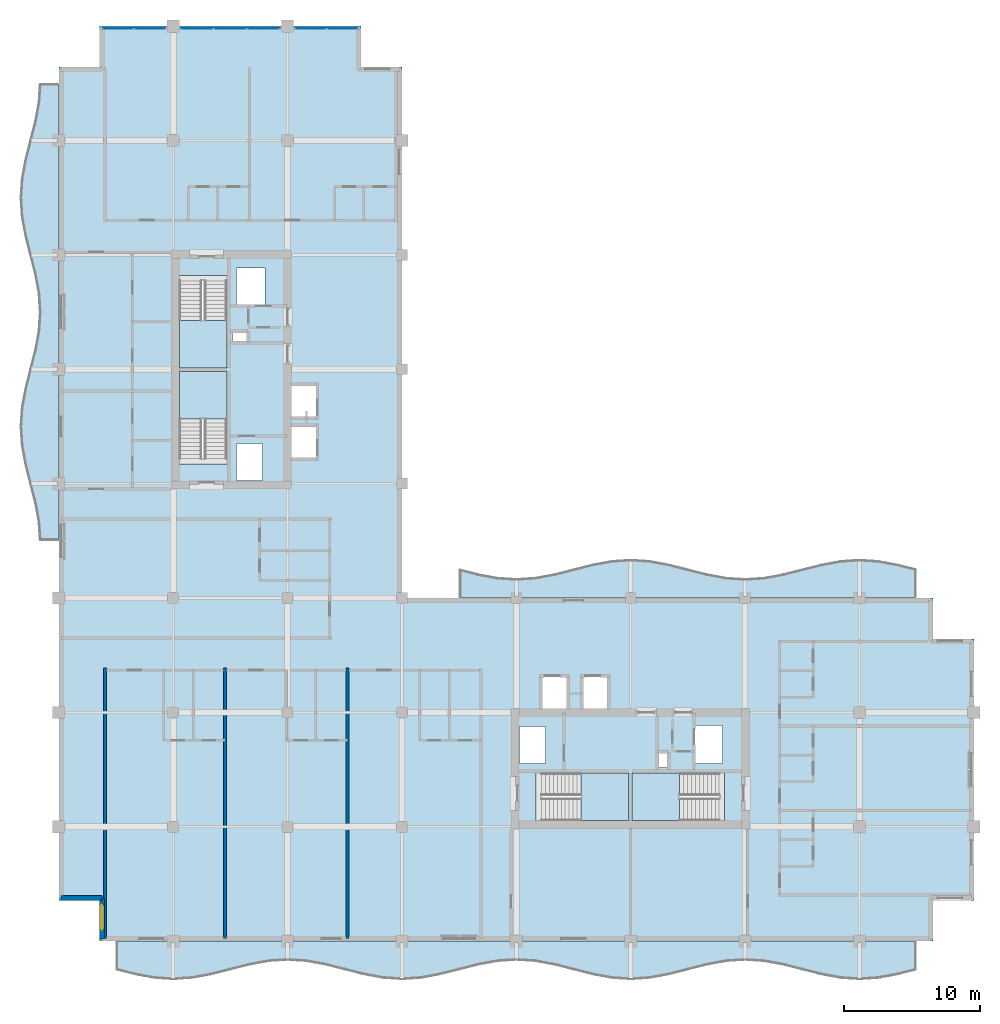
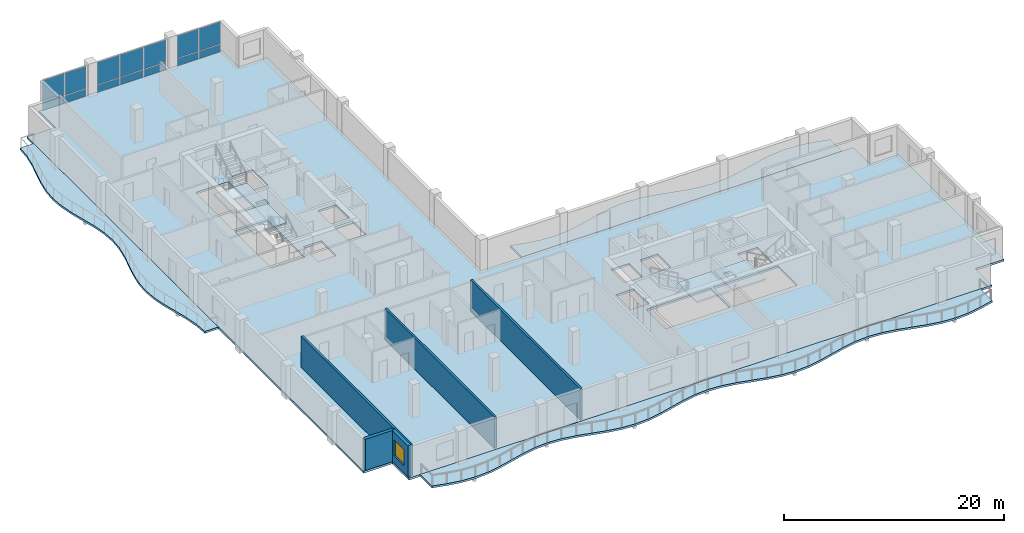
# One storey, part 5 of 17: 14 plates, 8 slabs, 5 walls, 1 window, 1 opening, 7 elements without a shape of their own.
"""IFC4 building model written with IfcOpenShell, lengths in metres."""

from ifc_helpers import new_model, si_unit, direction, frame, frame_2d, origin, origin_2d, place, context, subcontext, project, spatial, polyline, rectangle, outline, extrude, material, layer, layer_set, type_object, element, fill, aggregate, save


model = new_model("IFC4")

# Units and contexts
model_context = context("Model", 3, precision=1e-05, world=origin(), true_north=direction((0.0, 1.0)))
body_context = subcontext(model_context, "Body", "Model", "MODEL_VIEW")
ifc_project = project(units=[si_unit("LENGTHUNIT", "METRE"), si_unit("AREAUNIT", "SQUARE_METRE"), si_unit("VOLUMEUNIT", "CUBIC_METRE"), si_unit("PLANEANGLEUNIT", "RADIAN"), si_unit("MASSUNIT", "GRAM", prefix="KILO")], contexts=[model_context])

# Site, building, storey
site_placement = place(None, origin())
site = spatial("IfcSite", under=ifc_project, at=site_placement, CompositionType="ELEMENT")
building_placement = place(site_placement, origin())
building = spatial("IfcBuilding", under=site, at=building_placement, Name="Koriwani Terraces Tower", CompositionType="ELEMENT")
storey_placement = place(building_placement, frame((0.0, 0.0, 237.89990234375)))
storey = spatial("IfcBuildingStorey", under=building, at=storey_placement, Name="L58", CompositionType="ELEMENT", Elevation=237.89990234375)

# Curtain wall, plates
ifc_material_1 = material(Name="Anodised Bronze Aluminium", Category="aluminium")
ifc_layer_1 = layer(ifc_material_1, 0.169921875, Name="Anodised Bronze Aluminium")
ifc_layer_set_1 = layer_set([ifc_layer_1], Name="Anodised Bronze Aluminium")
curtain_wall_type = type_object("IfcCurtainWallType", Name="CW_RES_ZONE4", PredefinedType="NOTDEFINED", material=ifc_layer_set_1)
curtain_wall_1_placement = place(storey_placement, origin())
curtain_wall_1 = element("IfcCurtainWall", 1, at=curtain_wall_1_placement, inside=storey, type_object=curtain_wall_type, Name="L58 Unitised Curtain Wall (N_TIP) Bay 1", PredefinedType="NOTDEFINED")
ifc_material_2 = material(Name="Tempered Laminated Low-E Glass", Category="glass")
ifc_layer_2 = layer(ifc_material_2, 0.028076171875, Name="Tempered Laminated Low-E Glass")
ifc_layer_set_2 = layer_set([ifc_layer_2], Name="Tempered Laminated Low-E Glass")
plate_type = type_object("IfcPlateType", Name="CW_PANEL_VISION_28", PredefinedType="CURTAIN_PANEL", material=ifc_layer_set_2)
plate_1_placement = place(storey_placement, frame((12.7724609375, 75.425048828125, 0.06494140625), z_axis=(0.0, 0.0, 1.0), x_axis=(1.0, 0.0, 0.0)))
plate_1 = element("IfcPlate", 2, at=plate_1_placement, type_object=plate_type, Name="CW-Z4 panel 1.1", PredefinedType="CURTAIN_PANEL", context=body_context, shape_type="SweptSolid", body=[
    extrude(rectangle(XDim=2.2451171875, YDim=0.028076171875, at=origin_2d()), origin(), (0.0, 0.0, 1.0), 0.802490234375),
])
plate_2_placement = place(storey_placement, frame((12.7724609375, 75.425048828125, 0.9326171875), z_axis=(0.0, 0.0, 1.0), x_axis=(1.0, 0.0, 0.0)))
plate_2 = element("IfcPlate", 3, at=plate_2_placement, type_object=plate_type, Name="CW-Z4 panel 1.2", PredefinedType="CURTAIN_PANEL", context=body_context, shape_type="SweptSolid", body=[
    extrude(rectangle(XDim=2.2451171875, YDim=0.028076171875, at=origin_2d()), origin(), (0.0, 0.0, 1.0), 2.472412109375),
])
plate_3_placement = place(storey_placement, frame((15.092529296875, 75.425048828125, 0.06494140625), z_axis=(0.0, 0.0, 1.0), x_axis=(1.0, 0.0, 0.0)))
plate_3 = element("IfcPlate", 4, at=plate_3_placement, type_object=plate_type, Name="CW-Z4 panel 2.1", PredefinedType="CURTAIN_PANEL", context=body_context, shape_type="SweptSolid", body=[
    extrude(rectangle(XDim=2.2451171875, YDim=0.028076171875, at=origin_2d()), origin(), (0.0, 0.0, 1.0), 0.802490234375),
])
plate_4_placement = place(storey_placement, frame((15.092529296875, 75.425048828125, 0.9326171875), z_axis=(0.0, 0.0, 1.0), x_axis=(1.0, 0.0, 0.0)))
plate_4 = element("IfcPlate", 5, at=plate_4_placement, type_object=plate_type, Name="CW-Z4 panel 2.2", PredefinedType="CURTAIN_PANEL", context=body_context, shape_type="SweptSolid", body=[
    extrude(rectangle(XDim=2.2451171875, YDim=0.028076171875, at=origin_2d()), origin(), (0.0, 0.0, 1.0), 2.472412109375),
])
aggregate(curtain_wall_1, [plate_1, plate_2, plate_3, plate_4])

curtain_wall_2_placement = place(storey_placement, origin())
curtain_wall_2 = element("IfcCurtainWall", 6, at=curtain_wall_2_placement, inside=storey, type_object=curtain_wall_type, Name="L58 Unitised Curtain Wall (N_TIP) Bay 2", PredefinedType="NOTDEFINED")
plate_5_placement = place(storey_placement, frame((18.558837890625, 75.425048828125, 0.06494140625), z_axis=(0.0, 0.0, 1.0), x_axis=(1.0, 0.0, 0.0)))
plate_5 = element("IfcPlate", 7, at=plate_5_placement, type_object=plate_type, Name="CW-Z4 panel 1.1", PredefinedType="CURTAIN_PANEL", context=body_context, shape_type="SweptSolid", body=[
    extrude(rectangle(XDim=2.347412109375, YDim=0.028076171875, at=origin_2d()), origin(), (0.0, 0.0, 1.0), 0.802490234375),
])
plate_6_placement = place(storey_placement, frame((18.558837890625, 75.425048828125, 0.9326171875), z_axis=(0.0, 0.0, 1.0), x_axis=(1.0, 0.0, 0.0)))
plate_6 = element("IfcPlate", 8, at=plate_6_placement, type_object=plate_type, Name="CW-Z4 panel 1.2", PredefinedType="CURTAIN_PANEL", context=body_context, shape_type="SweptSolid", body=[
    extrude(rectangle(XDim=2.347412109375, YDim=0.028076171875, at=origin_2d()), origin(), (0.0, 0.0, 1.0), 2.472412109375),
])
plate_7_placement = place(storey_placement, frame((21.0, 75.425048828125, 0.06494140625), z_axis=(0.0, 0.0, 1.0), x_axis=(1.0, 0.0, 0.0)))
plate_7 = element("IfcPlate", 9, at=plate_7_placement, type_object=plate_type, Name="CW-Z4 panel 2.1", PredefinedType="CURTAIN_PANEL", context=body_context, shape_type="SweptSolid", body=[
    extrude(rectangle(XDim=2.385009765625, YDim=0.028076171875, at=origin_2d()), origin(), (0.0, 0.0, 1.0), 0.802490234375),
])
plate_8_placement = place(storey_placement, frame((21.0, 75.425048828125, 0.9326171875), z_axis=(0.0, 0.0, 1.0), x_axis=(1.0, 0.0, 0.0)))
plate_8 = element("IfcPlate", 10, at=plate_8_placement, type_object=plate_type, Name="CW-Z4 panel 2.2", PredefinedType="CURTAIN_PANEL", context=body_context, shape_type="SweptSolid", body=[
    extrude(rectangle(XDim=2.385009765625, YDim=0.028076171875, at=origin_2d()), origin(), (0.0, 0.0, 1.0), 2.472412109375),
])
plate_9_placement = place(storey_placement, frame((23.441162109375, 75.425048828125, 0.06494140625), z_axis=(0.0, 0.0, 1.0), x_axis=(1.0, 0.0, 0.0)))
plate_9 = element("IfcPlate", 11, at=plate_9_placement, type_object=plate_type, Name="CW-Z4 panel 3.1", PredefinedType="CURTAIN_PANEL", context=body_context, shape_type="SweptSolid", body=[
    extrude(rectangle(XDim=2.347412109375, YDim=0.028076171875, at=origin_2d()), origin(), (0.0, 0.0, 1.0), 0.802490234375),
])
plate_10_placement = place(storey_placement, frame((23.441162109375, 75.425048828125, 0.9326171875), z_axis=(0.0, 0.0, 1.0), x_axis=(1.0, 0.0, 0.0)))
plate_10 = element("IfcPlate", 12, at=plate_10_placement, type_object=plate_type, Name="CW-Z4 panel 3.2", PredefinedType="CURTAIN_PANEL", context=body_context, shape_type="SweptSolid", body=[
    extrude(rectangle(XDim=2.347412109375, YDim=0.028076171875, at=origin_2d()), origin(), (0.0, 0.0, 1.0), 2.472412109375),
])
aggregate(curtain_wall_2, [plate_5, plate_6, plate_7, plate_8, plate_9, plate_10])

curtain_wall_3_placement = place(storey_placement, origin())
curtain_wall_3 = element("IfcCurtainWall", 13, at=curtain_wall_3_placement, inside=storey, type_object=curtain_wall_type, Name="L58 Unitised Curtain Wall (N_TIP) Bay 3", PredefinedType="NOTDEFINED")
plate_11_placement = place(storey_placement, frame((26.907470703125, 75.425048828125, 0.06494140625), z_axis=(0.0, 0.0, 1.0), x_axis=(1.0, 0.0, 0.0)))
plate_11 = element("IfcPlate", 14, at=plate_11_placement, type_object=plate_type, Name="CW-Z4 panel 1.1", PredefinedType="CURTAIN_PANEL", context=body_context, shape_type="SweptSolid", body=[
    extrude(rectangle(XDim=2.2451171875, YDim=0.028076171875, at=origin_2d()), origin(), (0.0, 0.0, 1.0), 0.802490234375),
])
plate_12_placement = place(storey_placement, frame((26.907470703125, 75.425048828125, 0.9326171875), z_axis=(0.0, 0.0, 1.0), x_axis=(1.0, 0.0, 0.0)))
plate_12 = element("IfcPlate", 15, at=plate_12_placement, type_object=plate_type, Name="CW-Z4 panel 1.2", PredefinedType="CURTAIN_PANEL", context=body_context, shape_type="SweptSolid", body=[
    extrude(rectangle(XDim=2.2451171875, YDim=0.028076171875, at=origin_2d()), origin(), (0.0, 0.0, 1.0), 2.472412109375),
])
plate_13_placement = place(storey_placement, frame((29.2275390625, 75.425048828125, 0.06494140625), z_axis=(0.0, 0.0, 1.0), x_axis=(1.0, 0.0, 0.0)))
plate_13 = element("IfcPlate", 16, at=plate_13_placement, type_object=plate_type, Name="CW-Z4 panel 2.1", PredefinedType="CURTAIN_PANEL", context=body_context, shape_type="SweptSolid", body=[
    extrude(rectangle(XDim=2.2451171875, YDim=0.028076171875, at=origin_2d()), origin(), (0.0, 0.0, 1.0), 0.802490234375),
])
plate_14_placement = place(storey_placement, frame((29.2275390625, 75.425048828125, 0.9326171875), z_axis=(0.0, 0.0, 1.0), x_axis=(1.0, 0.0, 0.0)))
plate_14 = element("IfcPlate", 17, at=plate_14_placement, type_object=plate_type, Name="CW-Z4 panel 2.2", PredefinedType="CURTAIN_PANEL", context=body_context, shape_type="SweptSolid", body=[
    extrude(rectangle(XDim=2.2451171875, YDim=0.028076171875, at=origin_2d()), origin(), (0.0, 0.0, 1.0), 2.472412109375),
])
aggregate(curtain_wall_3, [plate_11, plate_12, plate_13, plate_14])

# Slabs
ifc_material_3 = material(Name="Concrete C40/50", Category="concrete")
ifc_layer_3 = layer(ifc_material_3, 0.219970703125, Name="Concrete C40/50")
ifc_layer_set_3 = layer_set([ifc_layer_3], Name="Concrete C40/50")
slab_type_1 = type_object("IfcSlabType", Name="SLAB_BALCONY_220", PredefinedType="FLOOR", material=ifc_layer_set_3)
slab_1_placement = place(storey_placement, frame((0.0, 0.0, -0.219970703125)))
element("IfcSlab", 18, at=slab_1_placement, inside=storey, type_object=slab_type_1, Name="L58 Quilted Circular-Arc Balcony (S)", PredefinedType="FLOOR", context=body_context, shape_type="SweptSolid", body=[
    extrude(outline(polyline([(12.60009765625, 8.39990234375), (14.0, 8.39990234375), (15.39990234375, 8.39990234375), (16.800048828125, 8.39990234375), (18.199951171875, 8.39990234375), (19.60009765625, 8.39990234375), (21.0, 8.39990234375), (22.39990234375, 8.39990234375), (23.800048828125, 8.39990234375), (25.199951171875, 8.39990234375), (26.60009765625, 8.39990234375), (28.0, 8.39990234375), (29.39990234375, 8.39990234375), (30.800048828125, 8.39990234375), (32.199951171875, 8.39990234375), (33.60009765625, 8.39990234375), (35.0, 8.39990234375), (36.39990234375, 8.39990234375), (37.800048828125, 8.39990234375), (39.199951171875, 8.39990234375), (40.60009765625, 8.39990234375), (42.0, 8.39990234375), (43.39990234375, 8.39990234375), (44.800048828125, 8.39990234375), (46.199951171875, 8.39990234375), (47.60009765625, 8.39990234375), (49.0, 8.39990234375), (50.39990234375, 8.39990234375), (51.800048828125, 8.39990234375), (53.199951171875, 8.39990234375), (54.60009765625, 8.39990234375), (56.0, 8.39990234375), (57.39990234375, 8.39990234375), (58.800048828125, 8.39990234375), (60.199951171875, 8.39990234375), (61.60009765625, 8.39990234375), (63.0, 8.39990234375), (64.39990234375, 8.39990234375), (65.800048828125, 8.39990234375), (67.199951171875, 8.39990234375), (68.60009765625, 8.39990234375), (70.0, 8.39990234375), (71.39990234375, 8.39990234375), (71.39990234375, 6.260009765625), (70.0, 5.905029296875), (68.60009765625, 5.64501953125), (67.199951171875, 5.550048828125), (65.800048828125, 5.64501953125), (64.39990234375, 5.905029296875), (63.0, 6.260009765625), (61.60009765625, 6.614990234375), (60.199951171875, 6.875), (58.800048828125, 6.969970703125), (57.39990234375, 6.875), (56.0, 6.614990234375), (54.60009765625, 6.260009765625), (53.199951171875, 5.905029296875), (51.800048828125, 5.64501953125), (50.39990234375, 5.550048828125), (49.0, 5.64501953125), (47.60009765625, 5.905029296875), (46.199951171875, 6.260009765625), (44.800048828125, 6.614990234375), (43.39990234375, 6.875), (42.0, 6.969970703125), (40.60009765625, 6.875), (39.199951171875, 6.614990234375), (37.800048828125, 6.260009765625), (36.39990234375, 5.905029296875), (35.0, 5.64501953125), (33.60009765625, 5.550048828125), (32.199951171875, 5.64501953125), (30.800048828125, 5.905029296875), (29.39990234375, 6.260009765625), (28.0, 6.614990234375), (26.60009765625, 6.875), (25.199951171875, 6.969970703125), (23.800048828125, 6.875), (22.39990234375, 6.614990234375), (21.0, 6.260009765625), (19.60009765625, 5.905029296875), (18.199951171875, 5.64501953125), (16.800048828125, 5.550048828125), (15.39990234375, 5.64501953125), (14.0, 5.905029296875), (12.60009765625, 6.260009765625), (12.60009765625, 8.39990234375)])), origin(), (0.0, 0.0, 1.0), 0.219970703125),
])
slab_2_placement = place(storey_placement, frame((0.0, 0.0, -0.219970703125)))
element("IfcSlab", 19, at=slab_2_placement, inside=storey, type_object=slab_type_1, Name="L58 Quilted Circular-Arc Balcony (W)", PredefinedType="FLOOR", context=body_context, shape_type="SweptSolid", body=[
    extrude(outline(polyline([(8.39990234375, 37.800048828125), (8.39990234375, 39.199951171875), (8.39990234375, 40.60009765625), (8.39990234375, 42.0), (8.39990234375, 43.39990234375), (8.39990234375, 44.800048828125), (8.39990234375, 46.199951171875), (8.39990234375, 47.60009765625), (8.39990234375, 49.0), (8.39990234375, 50.39990234375), (8.39990234375, 51.800048828125), (8.39990234375, 53.199951171875), (8.39990234375, 54.60009765625), (8.39990234375, 56.0), (8.39990234375, 57.39990234375), (8.39990234375, 58.800048828125), (8.39990234375, 60.199951171875), (8.39990234375, 61.60009765625), (8.39990234375, 63.0), (8.39990234375, 64.39990234375), (8.39990234375, 65.800048828125), (8.39990234375, 67.199951171875), (8.39990234375, 68.60009765625), (8.39990234375, 70.0), (8.39990234375, 71.39990234375), (6.969970703125, 71.39990234375), (6.875, 70.0), (6.614990234375, 68.60009765625), (6.260009765625, 67.199951171875), (5.905029296875, 65.800048828125), (5.64501953125, 64.39990234375), (5.550048828125, 63.0), (5.64501953125, 61.60009765625), (5.905029296875, 60.199951171875), (6.260009765625, 58.800048828125), (6.614990234375, 57.39990234375), (6.875, 56.0), (6.969970703125, 54.60009765625), (6.875, 53.199951171875), (6.614990234375, 51.800048828125), (6.260009765625, 50.39990234375), (5.905029296875, 49.0), (5.64501953125, 47.60009765625), (5.550048828125, 46.199951171875), (5.64501953125, 44.800048828125), (5.905029296875, 43.39990234375), (6.260009765625, 42.0), (6.614990234375, 40.60009765625), (6.875, 39.199951171875), (6.969970703125, 37.800048828125), (8.39990234375, 37.800048828125)])), origin(), (0.0, 0.0, 1.0), 0.219970703125),
])
slab_3_placement = place(storey_placement, frame((0.0, 0.0, -0.219970703125)))
element("IfcSlab", 20, at=slab_3_placement, inside=storey, type_object=slab_type_1, Name="L58 Quilted Circular-Arc Balcony (NE)", PredefinedType="FLOOR", context=body_context, shape_type="SweptSolid", body=[
    extrude(outline(polyline([(71.39990234375, 33.60009765625), (70.0, 33.60009765625), (68.60009765625, 33.60009765625), (67.199951171875, 33.60009765625), (65.800048828125, 33.60009765625), (64.39990234375, 33.60009765625), (63.0, 33.60009765625), (61.60009765625, 33.60009765625), (60.199951171875, 33.60009765625), (58.800048828125, 33.60009765625), (57.39990234375, 33.60009765625), (56.0, 33.60009765625), (54.60009765625, 33.60009765625), (53.199951171875, 33.60009765625), (51.800048828125, 33.60009765625), (50.39990234375, 33.60009765625), (49.0, 33.60009765625), (47.60009765625, 33.60009765625), (46.199951171875, 33.60009765625), (44.800048828125, 33.60009765625), (43.39990234375, 33.60009765625), (42.0, 33.60009765625), (40.60009765625, 33.60009765625), (39.199951171875, 33.60009765625), (37.800048828125, 33.60009765625), (37.800048828125, 35.739990234375), (39.199951171875, 35.385009765625), (40.60009765625, 35.125), (42.0, 35.030029296875), (43.39990234375, 35.125), (44.800048828125, 35.385009765625), (46.199951171875, 35.739990234375), (47.60009765625, 36.094970703125), (49.0, 36.35498046875), (50.39990234375, 36.449951171875), (51.800048828125, 36.35498046875), (53.199951171875, 36.094970703125), (54.60009765625, 35.739990234375), (56.0, 35.385009765625), (57.39990234375, 35.125), (58.800048828125, 35.030029296875), (60.199951171875, 35.125), (61.60009765625, 35.385009765625), (63.0, 35.739990234375), (64.39990234375, 36.094970703125), (65.800048828125, 36.35498046875), (67.199951171875, 36.449951171875), (68.60009765625, 36.35498046875), (70.0, 36.094970703125), (71.39990234375, 35.739990234375), (71.39990234375, 33.60009765625)])), origin(), (0.0, 0.0, 1.0), 0.219970703125),
])
ifc_layer_4 = layer(ifc_material_3, 0.22998046875, Name="Concrete C40/50")
ifc_layer_set_4 = layer_set([ifc_layer_4], Name="Concrete C40/50")
slab_type_2 = type_object("IfcSlabType", Name="SLAB_RES_TYP_230", PredefinedType="FLOOR", material=ifc_layer_set_4)
slab_4_placement = place(storey_placement, frame((0.0, 0.0, -0.22998046875)))
element("IfcSlab", 21, at=slab_4_placement, inside=storey, type_object=slab_type_2, Name="L58 Structural Floor Slab", PredefinedType="FLOOR", context=body_context, shape_type="SweptSolid", body=[
    extrude(outline(polyline([(11.39990234375, 8.39990234375), (72.60009765625, 8.39990234375), (72.60009765625, 11.39990234375), (75.60009765625, 11.39990234375), (75.60009765625, 30.60009765625), (72.60009765625, 30.60009765625), (72.60009765625, 33.60009765625), (33.60009765625, 33.60009765625), (33.60009765625, 72.60009765625), (30.60009765625, 72.60009765625), (30.60009765625, 75.60009765625), (11.39990234375, 75.60009765625), (11.39990234375, 72.60009765625), (8.39990234375, 72.60009765625), (8.39990234375, 11.39990234375), (11.39990234375, 11.39990234375), (11.39990234375, 8.39990234375)]), holes=[polyline([(17.25, 43.4599609375), (20.75, 43.4599609375), (20.75, 50.25), (17.25, 50.25), (17.25, 43.4599609375)]), polyline([(17.25, 50.5), (20.75, 50.5), (20.75, 57.2900390625), (17.25, 57.2900390625), (17.25, 50.5)]), polyline([(43.4599609375, 17.25), (50.25, 17.25), (50.25, 20.75), (43.4599609375, 20.75), (43.4599609375, 17.25)]), polyline([(50.5, 17.25), (57.2900390625, 17.25), (57.2900390625, 20.75), (50.5, 20.75), (50.5, 17.25)]), polyline([(25.449951171875, 43.85009765625), (27.35009765625, 43.85009765625), (27.35009765625, 46.25), (25.449951171875, 46.25), (25.449951171875, 43.85009765625)]), polyline([(25.449951171875, 46.85009765625), (27.35009765625, 46.85009765625), (27.35009765625, 49.25), (25.449951171875, 49.25), (25.449951171875, 46.85009765625)]), polyline([(43.85009765625, 25.449951171875), (45.75, 25.449951171875), (45.75, 27.85009765625), (43.85009765625, 27.85009765625), (43.85009765625, 25.449951171875)]), polyline([(46.85009765625, 25.449951171875), (48.75, 25.449951171875), (48.75, 27.85009765625), (46.85009765625, 27.85009765625), (46.85009765625, 25.449951171875)]), polyline([(21.449951171875, 55.050048828125), (23.550048828125, 55.050048828125), (23.550048828125, 57.85009765625), (21.449951171875, 57.85009765625), (21.449951171875, 55.050048828125)]), polyline([(55.050048828125, 21.449951171875), (57.14990234375, 21.449951171875), (57.14990234375, 24.25), (55.050048828125, 24.25), (55.050048828125, 21.449951171875)]), polyline([(21.449951171875, 42.25), (23.35009765625, 42.25), (23.35009765625, 44.949951171875), (21.449951171875, 44.949951171875), (21.449951171875, 42.25)]), polyline([(42.25, 21.449951171875), (44.14990234375, 21.449951171875), (44.14990234375, 24.14990234375), (42.25, 24.14990234375), (42.25, 21.449951171875)]), polyline([(21.14990234375, 52.419921875), (22.219970703125, 52.419921875), (22.219970703125, 53.179931640625), (21.14990234375, 53.179931640625), (21.14990234375, 52.419921875)]), polyline([(52.419921875, 21.14990234375), (53.179931640625, 21.14990234375), (53.179931640625, 22.219970703125), (52.419921875, 22.219970703125), (52.419921875, 21.14990234375)])]), origin(), (0.0, 0.0, 1.0), 0.22998046875),
])

# Stair, slab
stair_type = type_object("IfcStairType", Name="STAIR_CORE_DOGLEG_1650", PredefinedType="TWO_STRAIGHT_RUN_STAIR", material=ifc_material_3)
stair_1_placement = place(storey_placement, origin())
stair_1 = element("IfcStair", 22, at=stair_1_placement, inside=storey, type_object=stair_type, Name="L58 West Core Exit Stair 1", PredefinedType="HALF_TURN_STAIR")
ifc_layer_5 = layer(ifc_material_3, 0.199951171875, Name="Concrete C40/50")
ifc_layer_set_5 = layer_set([ifc_layer_5], Name="Concrete C40/50")
slab_type_3 = type_object("IfcSlabType", Name="SLAB_STAIR_LANDING_200", PredefinedType="LANDING", material=ifc_layer_set_5)
slab_5_placement = place(storey_placement, frame((0.0, 0.0, 1.650146484375)))
slab_5 = element("IfcSlab", 23, at=slab_5_placement, type_object=slab_type_3, Name="ST-W1 landing 1", PredefinedType="LANDING", context=body_context, shape_type="SweptSolid", body=[
    extrude(outline(polyline([(20.75, 46.75), (20.75, 50.25), (17.25, 50.25), (17.25, 46.75), (20.75, 46.75)])), origin(), (0.0, 0.0, 1.0), 0.199951171875),
])
aggregate(stair_1, [slab_5])

stair_2_placement = place(storey_placement, origin())
stair_2 = element("IfcStair", 24, at=stair_2_placement, inside=storey, type_object=stair_type, Name="L58 West Core Exit Stair 2", PredefinedType="HALF_TURN_STAIR")
slab_6_placement = place(storey_placement, frame((0.0, 0.0, 1.650146484375)))
slab_6 = element("IfcSlab", 25, at=slab_6_placement, type_object=slab_type_3, Name="ST-W2 landing 1", PredefinedType="LANDING", context=body_context, shape_type="SweptSolid", body=[
    extrude(outline(polyline([(17.25, 54.0), (17.25, 50.5), (20.75, 50.5), (20.75, 54.0), (17.25, 54.0)])), origin(), (0.0, 0.0, 1.0), 0.199951171875),
])
aggregate(stair_2, [slab_6])

stair_3_placement = place(storey_placement, origin())
stair_3 = element("IfcStair", 26, at=stair_3_placement, inside=storey, type_object=stair_type, Name="L58 East Core Exit Stair 1", PredefinedType="HALF_TURN_STAIR")
slab_7_placement = place(storey_placement, frame((0.0, 0.0, 1.650146484375)))
slab_7 = element("IfcSlab", 27, at=slab_7_placement, type_object=slab_type_3, Name="ST-E1 landing 1", PredefinedType="LANDING", context=body_context, shape_type="SweptSolid", body=[
    extrude(outline(polyline([(46.75, 17.25), (50.25, 17.25), (50.25, 20.75), (46.75, 20.75), (46.75, 17.25)])), origin(), (0.0, 0.0, 1.0), 0.199951171875),
])
aggregate(stair_3, [slab_7])

stair_4_placement = place(storey_placement, origin())
stair_4 = element("IfcStair", 28, at=stair_4_placement, inside=storey, type_object=stair_type, Name="L58 East Core Exit Stair 2", PredefinedType="HALF_TURN_STAIR")
slab_8_placement = place(storey_placement, frame((0.0, 0.0, 1.650146484375)))
slab_8 = element("IfcSlab", 29, at=slab_8_placement, type_object=slab_type_3, Name="ST-E2 landing 1", PredefinedType="LANDING", context=body_context, shape_type="SweptSolid", body=[
    extrude(outline(polyline([(54.0, 20.75), (50.5, 20.75), (50.5, 17.25), (54.0, 17.25), (54.0, 20.75)])), origin(), (0.0, 0.0, 1.0), 0.199951171875),
])
aggregate(stair_4, [slab_8])

# Walls
ifc_material_4 = material(Name="Autoclaved Cellular Concrete Blockwork", Category="masonry")
ifc_layer_6 = layer(ifc_material_4, 0.219970703125, Name="Autoclaved Cellular Concrete Blockwork")
ifc_layer_set_6 = layer_set([ifc_layer_6], Name="Autoclaved Cellular Concrete Blockwork")
wall_type_1 = type_object("IfcWallType", Name="WALL_DEMISING_220", PredefinedType="PARTITIONING", material=ifc_layer_set_6)
for number, where, z_axis, x_axis, name in (
    (30, (11.800048828125, 8.60009765625, 0.0), (0.0, 0.0, 1.0), (0.0, 1.0, 0.0), "L58 Interior Wall WRDEM-L58-SW-0"),
    (31, (20.60009765625, 8.60009765625, 0.0), (0.0, 0.0, 1.0), (0.0, 1.0, 0.0), "L58 Interior Wall WRDEM-L58-SW-1"),
    (32, (29.60009765625, 8.60009765625, 0.0), (0.0, 0.0, 1.0), (0.0, 1.0, 0.0), "L58 Interior Wall WRDEM-L58-SW-2"),
):
    element("IfcWall", number, at=place(storey_placement, frame(where, z_axis=z_axis, x_axis=x_axis)), inside=storey, type_object=wall_type_1, Name=name, PredefinedType="PARTITIONING", context=body_context, shape_type="SweptSolid", body=[
        extrude(rectangle(XDim=19.8798828125, YDim=0.219970703125, at=frame_2d((9.93994140625, 0.0))), origin(), (0.0, 0.0, 1.0), 3.47021484375),
    ])

# Wall, opening, window
ifc_material_5 = material(Name="Concrete C50/60", Category="concrete")
ifc_layer_7 = layer(ifc_material_5, 0.35009765625, Name="Concrete C50/60")
ifc_layer_set_7 = layer_set([ifc_layer_7], Name="Concrete C50/60")
wall_type_2 = type_object("IfcWallType", Name="WALL_EXT_BRUTALIST_350", PredefinedType="STANDARD", material=ifc_layer_set_7)
wall_1_placement = place(storey_placement, frame((11.574951171875, 8.574951171875, 0.0), z_axis=(0.0, 0.0, 1.0), x_axis=(0.0, 1.0, 0.0)))
wall_1 = element("IfcWall", 33, at=wall_1_placement, inside=storey, type_object=wall_type_2, Name="L58 Fair-Faced Brutalist Exterior Wall (N0)", PredefinedType="STANDARD", context=body_context, shape_type="SweptSolid", body=[
    extrude(rectangle(XDim=3.0, YDim=0.35009765625, at=frame_2d((1.5, 0.0))), origin(), (0.0, 0.0, 1.0), 3.47021484375),
])
opening_placement = place(wall_1_placement, frame((0.677490234375, 0.0, 0.85009765625)))
opening = element("IfcOpeningElement", 34, at=opening_placement, cuts=wall_1, Name="Opening W-04", PredefinedType="OPENING", context=body_context, shape_type="SweptSolid", body=[
    extrude(rectangle(XDim=1.800048828125, YDim=1.800048828125, at=frame_2d((0.89990234375, 0.89990234375))), frame((0.0, 0.18505859375, 0.0), z_axis=(0.0, -1.0, 0.0), x_axis=(1.0, 0.0, 0.0)), (0.0, 0.0, 1.0), 0.3701171875),
])
window_type = type_object("IfcWindowType", Name="WIN_RES_BED_1800X1800", PartitioningType="DOUBLE_PANEL_VERTICAL", PredefinedType="WINDOW", material=ifc_material_2)
window_placement = place(opening_placement, origin())
window = element("IfcWindow", 35, at=window_placement, inside=storey, type_object=window_type, Name="L58 Exterior Window (N0-R33)", OverallHeight=1.800048828125, OverallWidth=1.800048828125, PartitioningType="SINGLE_PANEL", PredefinedType="WINDOW", context=body_context, shape_type="SweptSolid", body=[
    extrude(rectangle(XDim=1.800048828125, YDim=1.800048828125, at=frame_2d((0.89990234375, 0.89990234375))), frame((0.0, 0.030029296875, 0.0), z_axis=(0.0, -1.0, 0.0), x_axis=(1.0, 0.0, 0.0)), (0.0, 0.0, 1.0), 0.06005859375),
])
fill(opening, window)

# Wall
wall_2_placement = place(storey_placement, frame((11.574951171875, 11.574951171875, 0.0), z_axis=(0.0, 0.0, 1.0), x_axis=(-1.0, 0.0, 0.0)))
element("IfcWall", 36, at=wall_2_placement, inside=storey, type_object=wall_type_2, Name="L58 Fair-Faced Brutalist Exterior Wall (N1)", PredefinedType="STANDARD", context=body_context, shape_type="SweptSolid", body=[
    extrude(rectangle(XDim=3.0, YDim=0.35009765625, at=frame_2d((1.5, 0.0))), origin(), (0.0, 0.0, 1.0), 3.47021484375),
])

save(model, "model.ifc")
